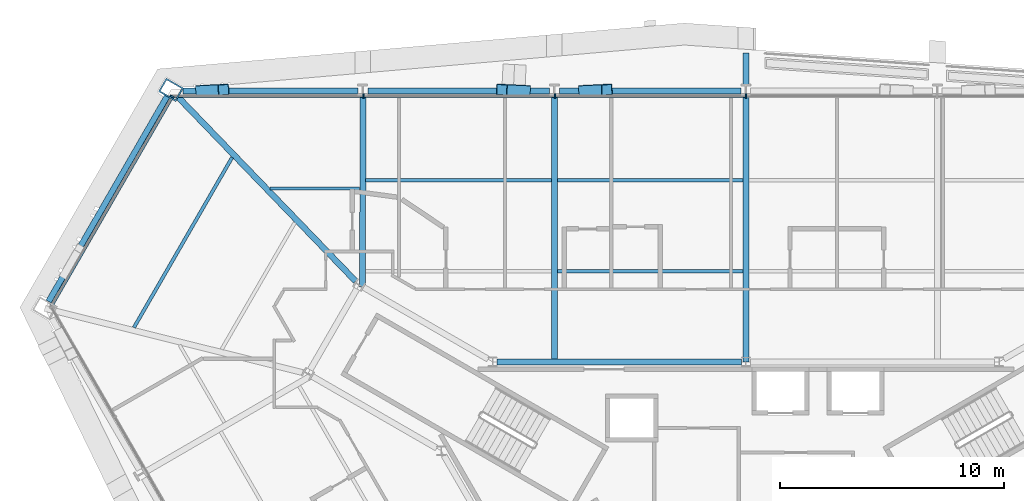
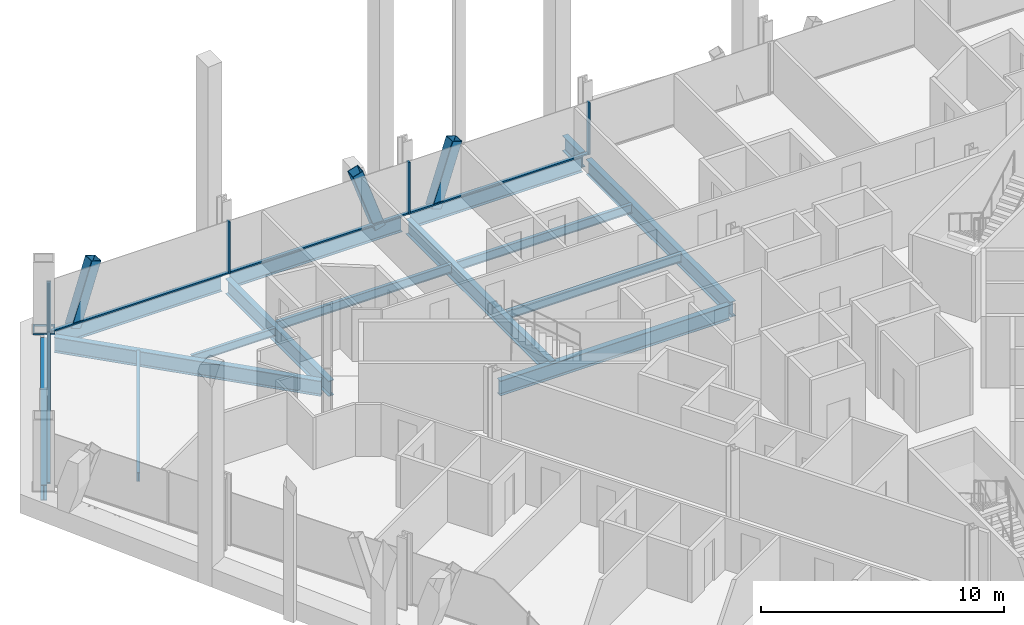
# One storey, part 8 of 21: 15 beams, 12 members, 2 elements without a shape of their own.
"""IFC4 building model written with IfcOpenShell, lengths in metres."""

from ifc_helpers import new_model, si_unit, direction, frame, origin, origin_2d, place, context, subcontext, project, spatial, rectangle, hollow_rectangle, i_section, extrude, material, material_profile, profile_set, type_object, element, aggregate, save


model = new_model("IFC4")

# Units and contexts
model_context = context("Model", 3, precision=1e-05, world=origin(), true_north=direction((0.0, 1.0)))
body_context = subcontext(model_context, "Body", "Model", "MODEL_VIEW")
ifc_project = project(units=[si_unit("LENGTHUNIT", "METRE"), si_unit("AREAUNIT", "SQUARE_METRE"), si_unit("VOLUMEUNIT", "CUBIC_METRE"), si_unit("PLANEANGLEUNIT", "RADIAN"), si_unit("MASSUNIT", "GRAM", prefix="KILO")], contexts=[model_context])

# Site, building, storey
site_placement = place(None, origin())
site = spatial("IfcSite", under=ifc_project, at=site_placement, CompositionType="ELEMENT")
building_placement = place(site_placement, origin())
building = spatial("IfcBuilding", under=site, at=building_placement, Name="Verrane Prism Tower", CompositionType="ELEMENT")
storey_placement = place(building_placement, frame((0.0, 0.0, 65.60009765625)))
storey = spatial("IfcBuildingStorey", under=building, at=storey_placement, Name="L14", CompositionType="ELEMENT", Elevation=65.60009765625)

# Beams
ifc_material_1 = material(Name="Steel A992", Category="steel")
ifc_material_profile_1 = material_profile(ifc_material_1, i_section(OverallWidth=0.2666015625, OverallDepth=0.76708984375, WebThickness=0.014892578125, FlangeThickness=0.023681640625, FilletRadius=0.0166015625, at=origin_2d()), Name="W30x124")
ifc_profile_set_1 = profile_set([ifc_material_profile_1], Name="Steel A992")
beam_type_1 = type_object("IfcBeamType", Name="Chamfer spandrel beam W30x124", PredefinedType="SPANDREL", material=ifc_profile_set_1)
beam_1_placement = place(storey_placement, frame((-25.89501953125, 21.06689453125, -0.543701171875), z_axis=(-0.500233062516, -0.865890803257, 0.0), x_axis=(0.865890803257, -0.500233062516, 0.0)))
element("IfcBeam", 1, at=beam_1_placement, inside=storey, type_object=beam_type_1, Name="Chamfer spandrel beam L14", PredefinedType="SPANDREL", context=body_context, shape_type="SweptSolid", body=[
    extrude(i_section(OverallWidth=0.2666015625, OverallDepth=0.76708984375, WebThickness=0.014892578125, FlangeThickness=0.023681640625, FilletRadius=0.0166015625, at=origin_2d()), origin(), (0.0, 0.0, 1.0), 10.5947265625),
])
ifc_material_2 = material(Name="Steel A992", Category="steel")
ifc_material_profile_2 = material_profile(ifc_material_2, i_section(OverallWidth=0.2666015625, OverallDepth=0.7568359375, WebThickness=0.013916015625, FlangeThickness=0.019287109375, FilletRadius=0.0166015625, at=origin_2d()), Name="W30x108")
ifc_profile_set_2 = profile_set([ifc_material_profile_2], Name="Steel A992")
beam_type_2 = type_object("IfcBeamType", Name="Core ring girder W30x108", PredefinedType="BEAM", material=ifc_profile_set_2)
beam_2_placement = place(storey_placement, frame((-0.203125, 9.199951171875, -0.628662109375), z_axis=(-1.0, 0.0, 0.0), x_axis=(0.0, -1.0, 0.0)))
element("IfcBeam", 2, at=beam_2_placement, inside=storey, type_object=beam_type_2, Name="Core ring girder L14", PredefinedType="BEAM", context=body_context, shape_type="SweptSolid", body=[
    extrude(i_section(OverallWidth=0.2666015625, OverallDepth=0.7568359375, WebThickness=0.013916015625, FlangeThickness=0.019287109375, FilletRadius=0.0166015625, at=origin_2d()), origin(), (0.0, 0.0, 1.0), 10.923583984375),
])
ifc_material_3 = material(Name="Steel A992", Category="steel")
ifc_material_profile_3 = material_profile(ifc_material_3, i_section(OverallWidth=0.2666015625, OverallDepth=0.76708984375, WebThickness=0.014892578125, FlangeThickness=0.023681640625, FilletRadius=0.0166015625, at=origin_2d()), Name="W30x124")
ifc_profile_set_3 = profile_set([ifc_material_profile_3], Name="Steel A992")
beam_type_3 = type_object("IfcBeamType", Name="Corner girder W30x124", PredefinedType="BEAM", material=ifc_profile_set_3)
beam_3_placement = place(storey_placement, frame((-25.39501953125, 21.032958984375, -0.603515625), z_axis=(0.694222573205, -0.719760389889, 0.0), x_axis=(0.719760389889, 0.694222573205, 0.0)))
element("IfcBeam", 3, at=beam_3_placement, inside=storey, type_object=beam_type_3, Name="Corner girder L14", PredefinedType="BEAM", context=body_context, shape_type="SweptSolid", body=[
    extrude(i_section(OverallWidth=0.2666015625, OverallDepth=0.76708984375, WebThickness=0.014892578125, FlangeThickness=0.023681640625, FilletRadius=0.0166015625, at=origin_2d()), origin(), (0.0, 0.0, 1.0), 11.424072265625),
])

# Members
ifc_material_4 = material(Name="Steel A1085 Grade A", Category="steel")
ifc_material_profile_4 = material_profile(ifc_material_4, hollow_rectangle(XDim=0.508056640625, YDim=0.508056640625, WallThickness=0.025390625, InnerFilletRadius=0.0126953125, OuterFilletRadius=0.0380859375, at=origin_2d()), Name="HSS20x20x1")
ifc_profile_set_4 = profile_set([ifc_material_profile_4], Name="Steel A1085 Grade A")
member_type_1 = type_object("IfcMemberType", Name="Facade brace HSS20x20x1", PredefinedType="BRACE", material=ifc_profile_set_4)
member_1_placement = place(storey_placement, frame((-7.23828125, 21.319091796875, -0.24267578125), z_axis=(0.32019714936, 0.016067516018, 0.947214664409), x_axis=(-0.050117013387, 0.998743352904, 0.0)))
element("IfcMember", 4, at=member_1_placement, inside=storey, type_object=member_type_1, Name="Facade brace N3 L14", PredefinedType="BRACE", context=body_context, shape_type="SweptSolid", body=[
    extrude(hollow_rectangle(XDim=0.508056640625, YDim=0.508056640625, WallThickness=0.025390625, InnerFilletRadius=0.0126953125, OuterFilletRadius=0.0380859375, at=origin_2d()), origin(), (0.0, 0.0, 1.0), 3.17578125),
])
member_2_placement = place(storey_placement, frame((-9.88720703125, 21.319091796875, -0.24267578125), z_axis=(-0.324671101855, 0.016041669099, 0.945690932849), x_axis=(-0.049348783868, -0.998781606524, 0.0)))
element("IfcMember", 5, at=member_2_placement, inside=storey, type_object=member_type_1, Name="Facade brace N4 L14", PredefinedType="BRACE", context=body_context, shape_type="SweptSolid", body=[
    extrude(hollow_rectangle(XDim=0.508056640625, YDim=0.508056640625, WallThickness=0.025390625, InnerFilletRadius=0.0126953125, OuterFilletRadius=0.0380859375, at=origin_2d()), origin(), (0.0, 0.0, 1.0), 3.180908203125),
])
member_3_placement = place(storey_placement, frame((-24.369873046875, 21.319091796875, -0.24267578125), z_axis=(0.315424325647, 0.016094649429, 0.948814237377), x_axis=(-0.05095909544, 0.998700741259, 0.0)))
element("IfcMember", 6, at=member_3_placement, inside=storey, type_object=member_type_1, Name="Facade brace N5 L14", PredefinedType="BRACE", context=body_context, shape_type="SweptSolid", body=[
    extrude(hollow_rectangle(XDim=0.508056640625, YDim=0.508056640625, WallThickness=0.025390625, InnerFilletRadius=0.0126953125, OuterFilletRadius=0.0380859375, at=origin_2d()), origin(), (0.0, 0.0, 1.0), 3.17041015625),
])

# Beams
ifc_material_5 = material(Name="Steel A992", Category="steel")
ifc_material_profile_5 = material_profile(ifc_material_5, i_section(OverallWidth=0.140380859375, OverallDepth=0.40380859375, WebThickness=0.007080078125, FlangeThickness=0.01123046875, FilletRadius=0.01025390625, at=origin_2d()), Name="W16x31")
ifc_profile_set_5 = profile_set([ifc_material_profile_5], Name="Steel A992")
beam_type_4 = type_object("IfcBeamType", Name="Floor beam W16x31", PredefinedType="BEAM", material=ifc_profile_set_5)
beam_4_placement = place(storey_placement, frame((-21.281005859375, 16.9599609375, -0.362060546875), z_axis=(1.0, 0.0, 0.0), x_axis=(0.0, 1.0, 0.0)))
element("IfcBeam", 7, at=beam_4_placement, inside=storey, type_object=beam_type_4, Name="Floor beam L14", PredefinedType="BEAM", context=body_context, shape_type="SweptSolid", body=[
    extrude(i_section(OverallWidth=0.140380859375, OverallDepth=0.40380859375, WebThickness=0.007080078125, FlangeThickness=0.01123046875, FilletRadius=0.01025390625, at=origin_2d()), origin(), (0.0, 0.0, 1.0), 3.99755859375),
])
ifc_material_6 = material(Name="Steel A992", Category="steel")
ifc_material_profile_6 = material_profile(ifc_material_6, i_section(OverallWidth=0.15234375, OverallDepth=0.449462890625, WebThickness=0.007568359375, FlangeThickness=0.0107421875, FilletRadius=0.01025390625, at=origin_2d()), Name="W18x35")
ifc_profile_set_6 = profile_set([ifc_material_profile_6], Name="Steel A992")
beam_type_5 = type_object("IfcBeamType", Name="Floor beam W18x35", PredefinedType="BEAM", material=ifc_profile_set_6)
for number, where, z_axis, x_axis, name in (
    (8, (-8.4365234375, 13.256591796875, -0.385009765625), (1.0, 0.0, 0.0), (0.0, 1.0, 0.0), "Floor beam L14"),
    (9, (-8.4365234375, 17.313232421875, -0.385009765625), (1.0, 0.0, 0.0), (0.0, 1.0, 0.0), "Floor beam L14"),
):
    element("IfcBeam", number, at=place(storey_placement, frame(where, z_axis=z_axis, x_axis=x_axis)), inside=storey, type_object=beam_type_5, Name=name, PredefinedType="BEAM", context=body_context, shape_type="SweptSolid", body=[
        extrude(i_section(OverallWidth=0.15234375, OverallDepth=0.449462890625, WebThickness=0.007568359375, FlangeThickness=0.0107421875, FilletRadius=0.01025390625, at=origin_2d()), origin(), (0.0, 0.0, 1.0), 8.302978515625),
    ])
beam_5_placement = place(storey_placement, frame((-17.0166015625, 17.313232421875, -0.385009765625), z_axis=(1.0, 0.0, 0.0), x_axis=(0.0, 1.0, 0.0)))
element("IfcBeam", 10, at=beam_5_placement, inside=storey, type_object=beam_type_5, Name="Floor beam L14", PredefinedType="BEAM", context=body_context, shape_type="SweptSolid", body=[
    extrude(i_section(OverallWidth=0.15234375, OverallDepth=0.449462890625, WebThickness=0.007568359375, FlangeThickness=0.0107421875, FilletRadius=0.01025390625, at=origin_2d()), origin(), (0.0, 0.0, 1.0), 8.31298828125),
])
beam_6_placement = place(storey_placement, frame((-27.376708984375, 10.7333984375, -0.385009765625), z_axis=(0.499991890044, 0.866030086019, 0.0), x_axis=(-0.866030086019, 0.499991890044, 0.0)))
element("IfcBeam", 11, at=beam_6_placement, inside=storey, type_object=beam_type_5, Name="Floor beam L14", PredefinedType="BEAM", context=body_context, shape_type="SweptSolid", body=[
    extrude(i_section(OverallWidth=0.15234375, OverallDepth=0.449462890625, WebThickness=0.007568359375, FlangeThickness=0.0107421875, FilletRadius=0.01025390625, at=origin_2d()), origin(), (0.0, 0.0, 1.0), 8.784912109375),
])

# Member
ifc_material_7 = material(Name="Steel A572 Grade 50", Category="steel")
ifc_material_profile_7 = material_profile(ifc_material_7, hollow_rectangle(XDim=0.699951171875, YDim=0.89990234375, WallThickness=0.06494140625, at=origin_2d()), Name="BOX 900x700x65")
ifc_profile_set_7 = profile_set([ifc_material_profile_7], Name="Steel A572 Grade 50")
member_type_2 = type_object("IfcMemberType", Name="Kink node BOX 900x700x65", PredefinedType="COLLAR", material=ifc_profile_set_7)
member_4_placement = place(storey_placement, frame((-25.718994140625, 21.368408203125, -0.0400390625), z_axis=(0.0, 0.0, 1.0), x_axis=(0.5, 0.866025403784, 0.0)))
element("IfcMember", 12, at=member_4_placement, inside=storey, type_object=member_type_2, Name="Kink node MC3 L14", PredefinedType="COLLAR", context=body_context, shape_type="SweptSolid", body=[
    extrude(hollow_rectangle(XDim=0.699951171875, YDim=0.89990234375, WallThickness=0.06494140625, at=origin_2d()), origin(), (0.0, 0.0, 1.0), 0.079833984375),
])

# Curtain wall, members
ifc_material_8 = material(Name="Aluminium framed insulated glazing", Category="aluminium")
curtain_wall_type = type_object("IfcCurtainWallType", Name="Curtain wall CW-A 8400 module", PredefinedType="NOTDEFINED", material=ifc_material_8)
curtain_wall_1_placement = place(storey_placement, origin())
curtain_wall_1 = element("IfcCurtainWall", 13, at=curtain_wall_1_placement, inside=storey, type_object=curtain_wall_type, Name="Glazed curtain wall north face L14", PredefinedType="NOTDEFINED")
ifc_material_9 = material(Name="Aluminium alloy 6063-T6", Category="aluminium")
ifc_material_profile_8 = material_profile(ifc_material_9, rectangle(XDim=0.199951171875, YDim=0.070068359375, at=origin_2d()), Name="Mullion 70x200 aluminium")
ifc_profile_set_8 = profile_set([ifc_material_profile_8], Name="Aluminium alloy 6063-T6")
member_type_3 = type_object("IfcMemberType", Name="Mullion 70x200 aluminium", PredefinedType="MULLION", material=ifc_profile_set_8)
member_5_placement = place(storey_placement, frame((0.0, 21.091064453125, 0.0), z_axis=(0.0, 0.0, 1.0), x_axis=(0.0, -1.0, 0.0)))
member_5 = element("IfcMember", 14, at=member_5_placement, type_object=member_type_3, Name="CW14.2 mullion 4", PredefinedType="MULLION", context=body_context, shape_type="SweptSolid", body=[
    extrude(rectangle(XDim=0.199951171875, YDim=0.070068359375, at=origin_2d()), origin(), (0.0, 0.0, 1.0), 2.61279296875),
])
member_6_placement = place(storey_placement, frame((-8.549560546875, 21.091064453125, 0.0), z_axis=(0.0, 0.0, 1.0), x_axis=(0.0, -1.0, 0.0)))
member_6 = element("IfcMember", 15, at=member_6_placement, type_object=member_type_3, Name="CW14.2 mullion 5", PredefinedType="MULLION", context=body_context, shape_type="SweptSolid", body=[
    extrude(rectangle(XDim=0.199951171875, YDim=0.070068359375, at=origin_2d()), origin(), (0.0, 0.0, 1.0), 2.61279296875),
])
member_7_placement = place(storey_placement, frame((-17.09912109375, 21.091064453125, 0.0), z_axis=(0.0, 0.0, 1.0), x_axis=(0.0, -1.0, 0.0)))
member_7 = element("IfcMember", 16, at=member_7_placement, type_object=member_type_3, Name="CW14.2 mullion 6", PredefinedType="MULLION", context=body_context, shape_type="SweptSolid", body=[
    extrude(rectangle(XDim=0.199951171875, YDim=0.070068359375, at=origin_2d()), origin(), (0.0, 0.0, 1.0), 2.61279296875),
])

# Curtain wall, member
curtain_wall_2_placement = place(storey_placement, origin())
curtain_wall_2 = element("IfcCurtainWall", 17, at=curtain_wall_2_placement, inside=storey, type_object=curtain_wall_type, Name="Glazed curtain wall north-west corner L14", PredefinedType="NOTDEFINED")
member_8_placement = place(storey_placement, frame((-25.666259765625, 21.060791015625, 0.0), z_axis=(0.0, 0.0, 1.0), x_axis=(0.866027351077, -0.499996627176, 0.0)))
member_8 = element("IfcMember", 18, at=member_8_placement, type_object=member_type_3, Name="CW14.3 mullion 1", PredefinedType="MULLION", context=body_context, shape_type="SweptSolid", body=[
    extrude(rectangle(XDim=0.199951171875, YDim=0.070068359375, at=origin_2d()), origin(), (0.0, 0.0, 1.0), 2.61279296875),
])

# Beams
ifc_material_10 = material(Name="Steel A992", Category="steel")
ifc_material_profile_9 = material_profile(ifc_material_10, i_section(OverallWidth=0.2666015625, OverallDepth=0.76708984375, WebThickness=0.014892578125, FlangeThickness=0.023681640625, FilletRadius=0.0166015625, at=origin_2d()), Name="W30x124")
ifc_profile_set_9 = profile_set([ifc_material_profile_9], Name="Steel A992")
beam_type_6 = type_object("IfcBeamType", Name="Radial girder W30x124", PredefinedType="BEAM", material=ifc_profile_set_9)
for number, where, z_axis, x_axis, name in (
    (19, (0.0, 21.0703125, -0.603515625), (0.0, -1.0, 0.0), (1.0, 0.0, 0.0), "Radial girder L14"),
    (20, (-8.561767578125, 21.0703125, -0.603515625), (-0.000699286146, -0.999999755499, 0.0), (0.999999755499, -0.000699286146, 0.0), "Radial girder L14"),
):
    element("IfcBeam", number, at=place(storey_placement, frame(where, z_axis=z_axis, x_axis=x_axis)), inside=storey, type_object=beam_type_6, Name=name, PredefinedType="BEAM", context=body_context, shape_type="SweptSolid", body=[
        extrude(i_section(OverallWidth=0.2666015625, OverallDepth=0.76708984375, WebThickness=0.014892578125, FlangeThickness=0.023681640625, FilletRadius=0.0166015625, at=origin_2d()), origin(), (0.0, 0.0, 1.0), 11.870361328125),
    ])
beam_7_placement = place(storey_placement, frame((-17.13037109375, 21.0703125, -0.603515625), z_axis=(-0.002293308956, -0.999997370364, 0.0), x_axis=(0.999997370364, -0.002293308956, 0.0)))
element("IfcBeam", 21, at=beam_7_placement, inside=storey, type_object=beam_type_6, Name="Radial girder L14", PredefinedType="BEAM", context=body_context, shape_type="SweptSolid", body=[
    extrude(i_section(OverallWidth=0.2666015625, OverallDepth=0.76708984375, WebThickness=0.014892578125, FlangeThickness=0.023681640625, FilletRadius=0.0166015625, at=origin_2d()), origin(), (0.0, 0.0, 1.0), 8.5166015625),
])
beam_8_placement = place(storey_placement, frame((0.0, 21.564208984375, -0.603515625), z_axis=(0.0, 1.0, 0.0), x_axis=(-1.0, 0.0, 0.0)))
element("IfcBeam", 22, at=beam_8_placement, inside=storey, type_object=beam_type_6, Name="Cantilever girder L14", PredefinedType="BEAM", context=body_context, shape_type="SweptSolid", body=[
    extrude(i_section(OverallWidth=0.2666015625, OverallDepth=0.76708984375, WebThickness=0.014892578125, FlangeThickness=0.023681640625, FilletRadius=0.0166015625, at=origin_2d()), origin(), (0.0, 0.0, 1.0), 1.459716796875),
])
ifc_material_11 = material(Name="Steel A992", Category="steel")
ifc_material_profile_10 = material_profile(ifc_material_11, i_section(OverallWidth=0.2666015625, OverallDepth=0.7568359375, WebThickness=0.013916015625, FlangeThickness=0.019287109375, FilletRadius=0.0166015625, at=origin_2d()), Name="W30x108")
ifc_profile_set_10 = profile_set([ifc_material_profile_10], Name="Steel A992")
beam_type_7 = type_object("IfcBeamType", Name="Spandrel beam W30x108", PredefinedType="SPANDREL", material=ifc_profile_set_10)
beam_9_placement = place(storey_placement, frame((-0.2158203125, 21.319091796875, -0.53857421875), z_axis=(-1.0, 0.0, 0.0), x_axis=(0.0, -1.0, 0.0)))
element("IfcBeam", 23, at=beam_9_placement, inside=storey, type_object=beam_type_7, Name="Spandrel beam L14", PredefinedType="SPANDREL", context=body_context, shape_type="SweptSolid", body=[
    extrude(i_section(OverallWidth=0.2666015625, OverallDepth=0.7568359375, WebThickness=0.013916015625, FlangeThickness=0.019287109375, FilletRadius=0.0166015625, at=origin_2d()), origin(), (0.0, 0.0, 1.0), 8.1298828125),
])
beam_10_placement = place(storey_placement, frame((-8.777587890625, 21.319091796875, -0.53857421875), z_axis=(-1.0, 0.0, 0.0), x_axis=(0.0, -1.0, 0.0)))
element("IfcBeam", 24, at=beam_10_placement, inside=storey, type_object=beam_type_7, Name="Spandrel beam L14", PredefinedType="SPANDREL", context=body_context, shape_type="SweptSolid", body=[
    extrude(i_section(OverallWidth=0.2666015625, OverallDepth=0.7568359375, WebThickness=0.013916015625, FlangeThickness=0.019287109375, FilletRadius=0.0166015625, at=origin_2d()), origin(), (0.0, 0.0, 1.0), 8.13623046875),
])
beam_11_placement = place(storey_placement, frame((-17.345703125, 21.319091796875, -0.53857421875), z_axis=(-1.0, 0.0, 0.0), x_axis=(0.0, -1.0, 0.0)))
element("IfcBeam", 25, at=beam_11_placement, inside=storey, type_object=beam_type_7, Name="Spandrel beam L14", PredefinedType="SPANDREL", context=body_context, shape_type="SweptSolid", body=[
    extrude(i_section(OverallWidth=0.2666015625, OverallDepth=0.7568359375, WebThickness=0.013916015625, FlangeThickness=0.019287109375, FilletRadius=0.0166015625, at=origin_2d()), origin(), (0.0, 0.0, 1.0), 7.825927734375),
])

# Member
ifc_material_12 = material(Name="Aluminium alloy 6063-T6", Category="aluminium")
ifc_material_profile_11 = material_profile(ifc_material_12, rectangle(XDim=0.14990234375, YDim=0.070068359375, at=origin_2d()), Name="Transom 70x150 aluminium")
ifc_profile_set_11 = profile_set([ifc_material_profile_11], Name="Aluminium alloy 6063-T6")
member_type_4 = type_object("IfcMemberType", Name="Transom 70x150 aluminium", PredefinedType="USERDEFINED", material=ifc_profile_set_11)
member_9_placement = place(storey_placement, frame((-0.034912109375, 21.091064453125, 0.034912109375), z_axis=(-1.0, 0.0, 0.0), x_axis=(0.0, -1.0, 0.0)))
member_9 = element("IfcMember", 26, at=member_9_placement, type_object=member_type_4, Name="CW14.2 transom 4", ObjectType="TRANSOM", PredefinedType="USERDEFINED", context=body_context, shape_type="SweptSolid", body=[
    extrude(rectangle(XDim=0.14990234375, YDim=0.070068359375, at=origin_2d()), origin(), (0.0, 0.0, 1.0), 8.479736328125),
])

member_10_placement = place(storey_placement, frame((-8.584716796875, 21.091064453125, 0.034912109375), z_axis=(-1.0, 0.0, 0.0), x_axis=(0.0, -1.0, 0.0)))
member_10 = element("IfcMember", 27, at=member_10_placement, type_object=member_type_4, Name="CW14.2 transom 5", ObjectType="TRANSOM", PredefinedType="USERDEFINED", context=body_context, shape_type="SweptSolid", body=[
    extrude(rectangle(XDim=0.14990234375, YDim=0.070068359375, at=origin_2d()), origin(), (0.0, 0.0, 1.0), 8.4794921875),
])

member_11_placement = place(storey_placement, frame((-17.13427734375, 21.091064453125, 0.034912109375), z_axis=(-1.0, 0.0, 0.0), x_axis=(0.0, -1.0, 0.0)))
member_11 = element("IfcMember", 28, at=member_11_placement, type_object=member_type_4, Name="CW14.2 transom 6", ObjectType="TRANSOM", PredefinedType="USERDEFINED", context=body_context, shape_type="SweptSolid", body=[
    extrude(rectangle(XDim=0.14990234375, YDim=0.070068359375, at=origin_2d()), origin(), (0.0, 0.0, 1.0), 8.514404296875),
])

aggregate(curtain_wall_1, [member_5, member_6, member_7, member_9, member_10, member_11])

member_12_placement = place(storey_placement, frame((-25.683837890625, 21.0302734375, 0.034912109375), z_axis=(-0.499990896557, -0.866030659596, 0.0), x_axis=(0.866030659596, -0.499990896557, 0.0)))
member_12 = element("IfcMember", 29, at=member_12_placement, type_object=member_type_4, Name="CW14.3 transom 1", ObjectType="TRANSOM", PredefinedType="USERDEFINED", context=body_context, shape_type="SweptSolid", body=[
    extrude(rectangle(XDim=0.14990234375, YDim=0.070068359375, at=origin_2d()), origin(), (0.0, 0.0, 1.0), 10.811767578125),
])

aggregate(curtain_wall_2, [member_8, member_12])

save(model, "model.ifc")
